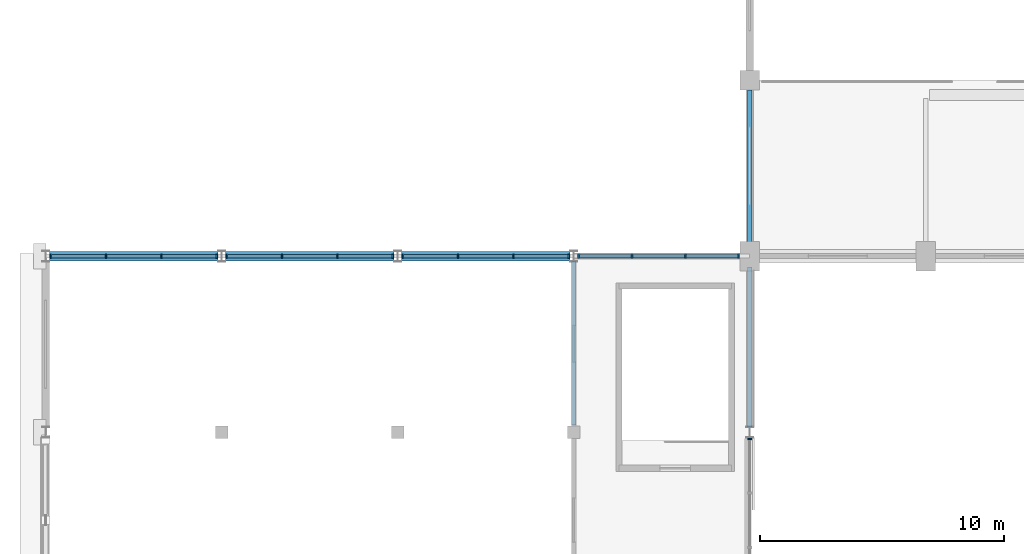
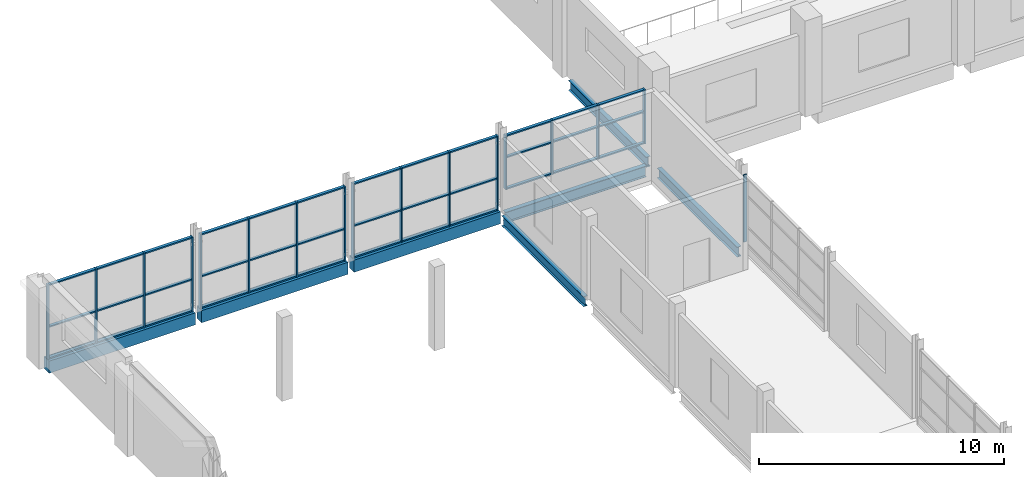
# One storey, part 25 of 71: 53 members, 7 beams, 5 elements without a shape of their own.
"""IFC4 building model written with IfcOpenShell, lengths in metres."""

from ifc_helpers import new_model, si_unit, direction, frame, origin, origin_2d, place, context, subcontext, project, spatial, rectangle, i_section, extrude, material, material_profile, profile_set, type_object, element, aggregate, save


model = new_model("IFC4")

# Units and contexts
model_context = context("Model", 3, precision=1e-05, world=origin(), true_north=direction((0.0, 1.0)))
body_context = subcontext(model_context, "Body", "Model", "MODEL_VIEW")
ifc_project = project(units=[si_unit("LENGTHUNIT", "METRE"), si_unit("AREAUNIT", "SQUARE_METRE"), si_unit("VOLUMEUNIT", "CUBIC_METRE"), si_unit("PLANEANGLEUNIT", "RADIAN"), si_unit("MASSUNIT", "GRAM", prefix="KILO")], contexts=[model_context])

# Site, building, storey
site_placement = place(None, origin())
site = spatial("IfcSite", under=ifc_project, at=site_placement, CompositionType="ELEMENT")
building_placement = place(site_placement, origin())
building = spatial("IfcBuilding", under=site, at=building_placement, Name="Sardonyx Promenade Sports Hall", CompositionType="ELEMENT")
storey_placement = place(building_placement, frame((0.0, 0.0, 16.0)))
storey = spatial("IfcBuildingStorey", under=building, at=storey_placement, Name="L03", CompositionType="ELEMENT", Elevation=16.0)

# Beams
ifc_material_1 = material(Name="Steel S355JR", Category="steel")
ifc_material_profile_1 = material_profile(ifc_material_1, i_section(OverallWidth=0.199951171875, OverallDepth=0.5, WebThickness=0.01025390625, FlangeThickness=0.01611328125, at=origin_2d()))
ifc_profile_set_1 = profile_set([ifc_material_profile_1], Name="Steel S355JR")
beam_type_1 = type_object("IfcBeamType", Name="Bm_Primary_IPE500", PredefinedType="BEAM", material=ifc_profile_set_1)
beam_1_placement = place(storey_placement, frame((21.60009765625, 65.10009765625, -0.449951171875), z_axis=(0.0, 1.0, 0.0), x_axis=(-1.0, 0.0, 0.0)))
element("IfcBeam", 1, at=beam_1_placement, inside=storey, type_object=beam_type_1, Name="Beam SB06 L03 #818", PredefinedType="BEAM", context=body_context, shape_type="SweptSolid", body=[
    extrude(i_section(OverallWidth=0.199951171875, OverallDepth=0.5, WebThickness=0.01025390625, FlangeThickness=0.01611328125, at=origin_2d()), origin(), (0.0, 0.0, 1.0), 6.679931640625),
])
beam_2_placement = place(storey_placement, frame((28.800048828125, 65.02001953125, -0.449951171875), z_axis=(0.0, 1.0, 0.0), x_axis=(-1.0, 0.0, 0.0)))
element("IfcBeam", 2, at=beam_2_placement, inside=storey, type_object=beam_type_1, Name="Beam SB06 L03 #828", PredefinedType="BEAM", context=body_context, shape_type="SweptSolid", body=[
    extrude(i_section(OverallWidth=0.199951171875, OverallDepth=0.5, WebThickness=0.01025390625, FlangeThickness=0.01611328125, at=origin_2d()), origin(), (0.0, 0.0, 1.0), 6.530029296875),
])
beam_3_placement = place(storey_placement, frame((28.800048828125, 72.449951171875, -0.469970703125), z_axis=(0.0, 1.0, 0.0), x_axis=(-1.0, 0.0, 0.0)))
element("IfcBeam", 3, at=beam_3_placement, inside=storey, type_object=beam_type_1, Name="Beam SB06 L03 #829", PredefinedType="BEAM", context=body_context, shape_type="SweptSolid", body=[
    extrude(i_section(OverallWidth=0.199951171875, OverallDepth=0.5, WebThickness=0.01025390625, FlangeThickness=0.01611328125, at=origin_2d()), origin(), (0.0, 0.0, 1.0), 6.35009765625),
])
ifc_material_2 = material(Name="Steel S355JR", Category="steel")
ifc_material_profile_2 = material_profile(ifc_material_2, i_section(OverallWidth=0.2099609375, OverallDepth=0.550048828125, WebThickness=0.010986328125, FlangeThickness=0.01708984375, at=origin_2d()))
ifc_profile_set_2 = profile_set([ifc_material_profile_2], Name="Steel S355JR")
beam_type_2 = type_object("IfcBeamType", Name="Bm_Primary_IPE550", PredefinedType="BEAM", material=ifc_profile_set_2)
beam_4_placement = place(storey_placement, frame((21.75, 72.0, -0.47509765625), z_axis=(1.0, 0.0, 0.0), x_axis=(0.0, 1.0, 0.0)))
element("IfcBeam", 4, at=beam_4_placement, inside=storey, type_object=beam_type_2, Name="Beam SB03 L03 #790", PredefinedType="BEAM", context=body_context, shape_type="SweptSolid", body=[
    extrude(i_section(OverallWidth=0.2099609375, OverallDepth=0.550048828125, WebThickness=0.010986328125, FlangeThickness=0.01708984375, at=origin_2d()), origin(), (0.0, 0.0, 1.0), 6.64990234375),
])
ifc_material_3 = material(Name="Concrete C40/50", Category="concrete")
ifc_material_profile_3 = material_profile(ifc_material_3, rectangle(XDim=0.39990234375, YDim=0.60009765625, at=origin_2d()))
ifc_profile_set_3 = profile_set([ifc_material_profile_3], Name="Concrete C40/50")
beam_type_3 = type_object("IfcBeamType", Name="Bm_Spandrel_RC600", PredefinedType="SPANDREL", material=ifc_profile_set_3)
beam_5_placement = place(storey_placement, frame((0.14990234375, 72.0, -0.300048828125), z_axis=(1.0, 0.0, 0.0), x_axis=(0.0, 1.0, 0.0)))
element("IfcBeam", 5, at=beam_5_placement, inside=storey, type_object=beam_type_3, Name="Beam SPB1 L03 #787", PredefinedType="SPANDREL", context=body_context, shape_type="SweptSolid", body=[
    extrude(rectangle(XDim=0.39990234375, YDim=0.60009765625, at=origin_2d()), origin(), (0.0, 0.0, 1.0), 6.900146484375),
])
for number, where, z_axis, x_axis, name in (
    (6, (7.35009765625, 72.0, -0.300048828125), (1.0, 0.0, 0.0), (0.0, 1.0, 0.0), "Beam SPB1 L03 #788"),
    (7, (14.550048828125, 72.0, -0.300048828125), (1.0, 0.0, 0.0), (0.0, 1.0, 0.0), "Beam SPB1 L03 #789"),
):
    element("IfcBeam", number, at=place(storey_placement, frame(where, z_axis=z_axis, x_axis=x_axis)), inside=storey, type_object=beam_type_3, Name=name, PredefinedType="SPANDREL", context=body_context, shape_type="SweptSolid", body=[
        extrude(rectangle(XDim=0.39990234375, YDim=0.60009765625, at=origin_2d()), origin(), (0.0, 0.0, 1.0), 6.89990234375),
    ])

# Curtain wall, member
ifc_material_4 = material(Name="Aluminium 6063-T6", Category="aluminium")
curtain_wall_type_1 = type_object("IfcCurtainWallType", Name="CW_South_L03_640", PredefinedType="USERDEFINED", material=ifc_material_4)
curtain_wall_1_placement = place(storey_placement, origin())
curtain_wall_1 = element("IfcCurtainWall", 8, at=curtain_wall_1_placement, inside=storey, type_object=curtain_wall_type_1, Name="Curtain wall CW14 cw:L03:155", ObjectType="CURTAIN WALL", PredefinedType="USERDEFINED")
ifc_material_5 = material(Name="Aluminium 6063-T6", Category="aluminium")
ifc_material_profile_4 = material_profile(ifc_material_5, rectangle(XDim=0.06005859375, YDim=0.14990234375, at=origin_2d()))
ifc_profile_set_4 = profile_set([ifc_material_profile_4], Name="Aluminium 6063-T6")
member_type_1 = type_object("IfcMemberType", Name="CW_Mull_150", PredefinedType="MULLION", material=ifc_profile_set_4)
member_1_placement = place(storey_placement, frame((28.800048828125, 64.530029296875, 0.35009765625), z_axis=(0.0, 0.0, 1.0), x_axis=(0.0, -1.0, 0.0)))
member_1 = element("IfcMember", 9, at=member_1_placement, type_object=member_type_1, Name="Mullion CM01 cw:L03:155 #1", PredefinedType="MULLION", context=body_context, shape_type="SweptSolid", body=[
    extrude(rectangle(XDim=0.06005859375, YDim=0.14990234375, at=origin_2d()), origin(), (0.0, 0.0, 1.0), 3.35498046875),
])
aggregate(curtain_wall_1, [member_1])

# Curtain wall, members
ifc_material_6 = material(Name="Aluminium 6063-T6", Category="aluminium")
curtain_wall_type_2 = type_object("IfcCurtainWallType", Name="CW_Climb_Clerestory", PredefinedType="USERDEFINED", material=ifc_material_6)
curtain_wall_2_placement = place(storey_placement, origin())
curtain_wall_2 = element("IfcCurtainWall", 10, at=curtain_wall_2_placement, inside=storey, type_object=curtain_wall_type_2, Name="Curtain wall CW12 cw:L03:080", ObjectType="CURTAIN WALL", PredefinedType="USERDEFINED")
ifc_material_7 = material(Name="Aluminium 6063-T6", Category="aluminium")
ifc_material_profile_5 = material_profile(ifc_material_7, rectangle(XDim=0.06494140625, YDim=0.175048828125, at=origin_2d()))
ifc_profile_set_5 = profile_set([ifc_material_profile_5], Name="Aluminium 6063-T6")
member_type_2 = type_object("IfcMemberType", Name="CW_Mull_175", PredefinedType="MULLION", material=ifc_profile_set_5)
member_2_placement = place(storey_placement, frame((0.202392578125, 72.0, 0.0), z_axis=(0.0, 0.0, 1.0), x_axis=(1.0, 0.0, 0.0)))
member_2 = element("IfcMember", 11, at=member_2_placement, type_object=member_type_2, Name="Mullion CM02 cw:L03:080 #1", PredefinedType="MULLION", context=body_context, shape_type="SweptSolid", body=[
    extrude(rectangle(XDim=0.06494140625, YDim=0.175048828125, at=origin_2d()), origin(), (0.0, 0.0, 1.0), 3.719970703125),
])
member_3_placement = place(storey_placement, frame((2.467529296875, 72.0, 0.0), z_axis=(0.0, 0.0, 1.0), x_axis=(1.0, 0.0, 0.0)))
member_3 = element("IfcMember", 12, at=member_3_placement, type_object=member_type_2, Name="Mullion CM02 cw:L03:080 #2", PredefinedType="MULLION", context=body_context, shape_type="SweptSolid", body=[
    extrude(rectangle(XDim=0.06494140625, YDim=0.175048828125, at=origin_2d()), origin(), (0.0, 0.0, 1.0), 3.719970703125),
])
member_4_placement = place(storey_placement, frame((4.732421875, 72.0, 0.0), z_axis=(0.0, 0.0, 1.0), x_axis=(1.0, 0.0, 0.0)))
member_4 = element("IfcMember", 13, at=member_4_placement, type_object=member_type_2, Name="Mullion CM02 cw:L03:080 #3", PredefinedType="MULLION", context=body_context, shape_type="SweptSolid", body=[
    extrude(rectangle(XDim=0.06494140625, YDim=0.175048828125, at=origin_2d()), origin(), (0.0, 0.0, 1.0), 3.719970703125),
])
member_5_placement = place(storey_placement, frame((6.99755859375, 72.0, 0.0), z_axis=(0.0, 0.0, 1.0), x_axis=(1.0, 0.0, 0.0)))
member_5 = element("IfcMember", 14, at=member_5_placement, type_object=member_type_2, Name="Mullion CM02 cw:L03:080 #4", PredefinedType="MULLION", context=body_context, shape_type="SweptSolid", body=[
    extrude(rectangle(XDim=0.06494140625, YDim=0.175048828125, at=origin_2d()), origin(), (0.0, 0.0, 1.0), 3.719970703125),
])

curtain_wall_3_placement = place(storey_placement, origin())
curtain_wall_3 = element("IfcCurtainWall", 15, at=curtain_wall_3_placement, inside=storey, type_object=curtain_wall_type_2, Name="Curtain wall CW12 cw:L03:081", ObjectType="CURTAIN WALL", PredefinedType="USERDEFINED")
member_6_placement = place(storey_placement, frame((7.402587890625, 72.0, 0.0), z_axis=(0.0, 0.0, 1.0), x_axis=(1.0, 0.0, 0.0)))
member_6 = element("IfcMember", 16, at=member_6_placement, type_object=member_type_2, Name="Mullion CM02 cw:L03:081 #1", PredefinedType="MULLION", context=body_context, shape_type="SweptSolid", body=[
    extrude(rectangle(XDim=0.06494140625, YDim=0.175048828125, at=origin_2d()), origin(), (0.0, 0.0, 1.0), 3.719970703125),
])
member_7_placement = place(storey_placement, frame((9.66748046875, 72.0, 0.0), z_axis=(0.0, 0.0, 1.0), x_axis=(1.0, 0.0, 0.0)))
member_7 = element("IfcMember", 17, at=member_7_placement, type_object=member_type_2, Name="Mullion CM02 cw:L03:081 #2", PredefinedType="MULLION", context=body_context, shape_type="SweptSolid", body=[
    extrude(rectangle(XDim=0.06494140625, YDim=0.175048828125, at=origin_2d()), origin(), (0.0, 0.0, 1.0), 3.719970703125),
])
member_8_placement = place(storey_placement, frame((11.9326171875, 72.0, 0.0), z_axis=(0.0, 0.0, 1.0), x_axis=(1.0, 0.0, 0.0)))
member_8 = element("IfcMember", 18, at=member_8_placement, type_object=member_type_2, Name="Mullion CM02 cw:L03:081 #3", PredefinedType="MULLION", context=body_context, shape_type="SweptSolid", body=[
    extrude(rectangle(XDim=0.06494140625, YDim=0.175048828125, at=origin_2d()), origin(), (0.0, 0.0, 1.0), 3.719970703125),
])
member_9_placement = place(storey_placement, frame((14.197509765625, 72.0, 0.0), z_axis=(0.0, 0.0, 1.0), x_axis=(1.0, 0.0, 0.0)))
member_9 = element("IfcMember", 19, at=member_9_placement, type_object=member_type_2, Name="Mullion CM02 cw:L03:081 #4", PredefinedType="MULLION", context=body_context, shape_type="SweptSolid", body=[
    extrude(rectangle(XDim=0.06494140625, YDim=0.175048828125, at=origin_2d()), origin(), (0.0, 0.0, 1.0), 3.719970703125),
])

curtain_wall_4_placement = place(storey_placement, origin())
curtain_wall_4 = element("IfcCurtainWall", 20, at=curtain_wall_4_placement, inside=storey, type_object=curtain_wall_type_2, Name="Curtain wall CW12 cw:L03:082", ObjectType="CURTAIN WALL", PredefinedType="USERDEFINED")
member_10_placement = place(storey_placement, frame((14.6025390625, 72.0, 0.0), z_axis=(0.0, 0.0, 1.0), x_axis=(1.0, 0.0, 0.0)))
member_10 = element("IfcMember", 21, at=member_10_placement, type_object=member_type_2, Name="Mullion CM02 cw:L03:082 #1", PredefinedType="MULLION", context=body_context, shape_type="SweptSolid", body=[
    extrude(rectangle(XDim=0.06494140625, YDim=0.175048828125, at=origin_2d()), origin(), (0.0, 0.0, 1.0), 3.719970703125),
])
member_11_placement = place(storey_placement, frame((16.867431640625, 72.0, 0.0), z_axis=(0.0, 0.0, 1.0), x_axis=(1.0, 0.0, 0.0)))
member_11 = element("IfcMember", 22, at=member_11_placement, type_object=member_type_2, Name="Mullion CM02 cw:L03:082 #2", PredefinedType="MULLION", context=body_context, shape_type="SweptSolid", body=[
    extrude(rectangle(XDim=0.06494140625, YDim=0.175048828125, at=origin_2d()), origin(), (0.0, 0.0, 1.0), 3.719970703125),
])
member_12_placement = place(storey_placement, frame((19.132568359375, 72.0, 0.0), z_axis=(0.0, 0.0, 1.0), x_axis=(1.0, 0.0, 0.0)))
member_12 = element("IfcMember", 23, at=member_12_placement, type_object=member_type_2, Name="Mullion CM02 cw:L03:082 #3", PredefinedType="MULLION", context=body_context, shape_type="SweptSolid", body=[
    extrude(rectangle(XDim=0.06494140625, YDim=0.175048828125, at=origin_2d()), origin(), (0.0, 0.0, 1.0), 3.719970703125),
])
member_13_placement = place(storey_placement, frame((21.3974609375, 72.0, 0.0), z_axis=(0.0, 0.0, 1.0), x_axis=(1.0, 0.0, 0.0)))
member_13 = element("IfcMember", 24, at=member_13_placement, type_object=member_type_2, Name="Mullion CM02 cw:L03:082 #4", PredefinedType="MULLION", context=body_context, shape_type="SweptSolid", body=[
    extrude(rectangle(XDim=0.06494140625, YDim=0.175048828125, at=origin_2d()), origin(), (0.0, 0.0, 1.0), 3.719970703125),
])

curtain_wall_5_placement = place(storey_placement, origin())
curtain_wall_5 = element("IfcCurtainWall", 25, at=curtain_wall_5_placement, inside=storey, type_object=curtain_wall_type_2, Name="Curtain wall CW12 cw:L03:083", ObjectType="CURTAIN WALL", PredefinedType="USERDEFINED")
member_14_placement = place(storey_placement, frame((21.802490234375, 72.0, 0.89990234375), z_axis=(0.0, 0.0, 1.0), x_axis=(1.0, 0.0, 0.0)))
member_14 = element("IfcMember", 26, at=member_14_placement, type_object=member_type_2, Name="Mullion CM02 cw:L03:083 #1", PredefinedType="MULLION", context=body_context, shape_type="SweptSolid", body=[
    extrude(rectangle(XDim=0.06494140625, YDim=0.175048828125, at=origin_2d()), origin(), (0.0, 0.0, 1.0), 2.705078125),
])
member_15_placement = place(storey_placement, frame((23.984130859375, 72.0, 0.89990234375), z_axis=(0.0, 0.0, 1.0), x_axis=(1.0, 0.0, 0.0)))
member_15 = element("IfcMember", 27, at=member_15_placement, type_object=member_type_2, Name="Mullion CM02 cw:L03:083 #2", PredefinedType="MULLION", context=body_context, shape_type="SweptSolid", body=[
    extrude(rectangle(XDim=0.06494140625, YDim=0.175048828125, at=origin_2d()), origin(), (0.0, 0.0, 1.0), 2.705078125),
])
member_16_placement = place(storey_placement, frame((26.165771484375, 72.0, 0.89990234375), z_axis=(0.0, 0.0, 1.0), x_axis=(1.0, 0.0, 0.0)))
member_16 = element("IfcMember", 28, at=member_16_placement, type_object=member_type_2, Name="Mullion CM02 cw:L03:083 #3", PredefinedType="MULLION", context=body_context, shape_type="SweptSolid", body=[
    extrude(rectangle(XDim=0.06494140625, YDim=0.175048828125, at=origin_2d()), origin(), (0.0, 0.0, 1.0), 2.705078125),
])
member_17_placement = place(storey_placement, frame((28.347412109375, 72.0, 0.89990234375), z_axis=(0.0, 0.0, 1.0), x_axis=(1.0, 0.0, 0.0)))
member_17 = element("IfcMember", 29, at=member_17_placement, type_object=member_type_2, Name="Mullion CM02 cw:L03:083 #4", PredefinedType="MULLION", context=body_context, shape_type="SweptSolid", body=[
    extrude(rectangle(XDim=0.06494140625, YDim=0.175048828125, at=origin_2d()), origin(), (0.0, 0.0, 1.0), 2.705078125),
])

# Member
ifc_material_8 = material(Name="Aluminium 6063-T6", Category="aluminium")
ifc_material_profile_6 = material_profile(ifc_material_8, rectangle(XDim=0.06494140625, YDim=0.139892578125, at=origin_2d()))
ifc_profile_set_6 = profile_set([ifc_material_profile_6], Name="Aluminium 6063-T6")
member_type_3 = type_object("IfcMemberType", Name="CW_Tran_140", PredefinedType="USERDEFINED", material=ifc_profile_set_6)
member_18_placement = place(storey_placement, frame((0.235107421875, 72.0, 0.032470703125), z_axis=(1.0, 0.0, 0.0), x_axis=(0.0, 0.0, 1.0)))
member_18 = element("IfcMember", 30, at=member_18_placement, type_object=member_type_3, Name="Transom CT02 cw:L03:080 #1", ObjectType="TRANSOM", PredefinedType="USERDEFINED", context=body_context, shape_type="SweptSolid", body=[
    extrude(rectangle(XDim=0.06494140625, YDim=0.139892578125, at=origin_2d()), origin(), (0.0, 0.0, 1.0), 2.199951171875),
])

member_19_placement = place(storey_placement, frame((0.235107421875, 72.0, 1.60009765625), z_axis=(1.0, 0.0, 0.0), x_axis=(0.0, 0.0, 1.0)))
member_19 = element("IfcMember", 31, at=member_19_placement, type_object=member_type_3, Name="Transom CT02 cw:L03:080 #2", ObjectType="TRANSOM", PredefinedType="USERDEFINED", context=body_context, shape_type="SweptSolid", body=[
    extrude(rectangle(XDim=0.06494140625, YDim=0.139892578125, at=origin_2d()), origin(), (0.0, 0.0, 1.0), 2.199951171875),
])

member_20_placement = place(storey_placement, frame((0.235107421875, 72.0, 3.6875), z_axis=(1.0, 0.0, 0.0), x_axis=(0.0, 0.0, 1.0)))
member_20 = element("IfcMember", 32, at=member_20_placement, type_object=member_type_3, Name="Transom CT02 cw:L03:080 #3", ObjectType="TRANSOM", PredefinedType="USERDEFINED", context=body_context, shape_type="SweptSolid", body=[
    extrude(rectangle(XDim=0.06494140625, YDim=0.139892578125, at=origin_2d()), origin(), (0.0, 0.0, 1.0), 2.199951171875),
])

member_21_placement = place(storey_placement, frame((2.5, 72.0, 0.032470703125), z_axis=(1.0, 0.0, 0.0), x_axis=(0.0, 0.0, 1.0)))
member_21 = element("IfcMember", 33, at=member_21_placement, type_object=member_type_3, Name="Transom CT02 cw:L03:080 #4", ObjectType="TRANSOM", PredefinedType="USERDEFINED", context=body_context, shape_type="SweptSolid", body=[
    extrude(rectangle(XDim=0.06494140625, YDim=0.139892578125, at=origin_2d()), origin(), (0.0, 0.0, 1.0), 2.199951171875),
])

member_22_placement = place(storey_placement, frame((2.5, 72.0, 1.60009765625), z_axis=(1.0, 0.0, 0.0), x_axis=(0.0, 0.0, 1.0)))
member_22 = element("IfcMember", 34, at=member_22_placement, type_object=member_type_3, Name="Transom CT02 cw:L03:080 #5", ObjectType="TRANSOM", PredefinedType="USERDEFINED", context=body_context, shape_type="SweptSolid", body=[
    extrude(rectangle(XDim=0.06494140625, YDim=0.139892578125, at=origin_2d()), origin(), (0.0, 0.0, 1.0), 2.199951171875),
])

member_23_placement = place(storey_placement, frame((2.5, 72.0, 3.6875), z_axis=(1.0, 0.0, 0.0), x_axis=(0.0, 0.0, 1.0)))
member_23 = element("IfcMember", 35, at=member_23_placement, type_object=member_type_3, Name="Transom CT02 cw:L03:080 #6", ObjectType="TRANSOM", PredefinedType="USERDEFINED", context=body_context, shape_type="SweptSolid", body=[
    extrude(rectangle(XDim=0.06494140625, YDim=0.139892578125, at=origin_2d()), origin(), (0.0, 0.0, 1.0), 2.199951171875),
])

member_24_placement = place(storey_placement, frame((4.764892578125, 72.0, 0.032470703125), z_axis=(1.0, 0.0, 0.0), x_axis=(0.0, 0.0, 1.0)))
member_24 = element("IfcMember", 36, at=member_24_placement, type_object=member_type_3, Name="Transom CT02 cw:L03:080 #7", ObjectType="TRANSOM", PredefinedType="USERDEFINED", context=body_context, shape_type="SweptSolid", body=[
    extrude(rectangle(XDim=0.06494140625, YDim=0.139892578125, at=origin_2d()), origin(), (0.0, 0.0, 1.0), 2.2001953125),
])

member_25_placement = place(storey_placement, frame((4.764892578125, 72.0, 1.60009765625), z_axis=(1.0, 0.0, 0.0), x_axis=(0.0, 0.0, 1.0)))
member_25 = element("IfcMember", 37, at=member_25_placement, type_object=member_type_3, Name="Transom CT02 cw:L03:080 #8", ObjectType="TRANSOM", PredefinedType="USERDEFINED", context=body_context, shape_type="SweptSolid", body=[
    extrude(rectangle(XDim=0.06494140625, YDim=0.139892578125, at=origin_2d()), origin(), (0.0, 0.0, 1.0), 2.2001953125),
])

member_26_placement = place(storey_placement, frame((4.764892578125, 72.0, 3.6875), z_axis=(1.0, 0.0, 0.0), x_axis=(0.0, 0.0, 1.0)))
member_26 = element("IfcMember", 38, at=member_26_placement, type_object=member_type_3, Name="Transom CT02 cw:L03:080 #9", ObjectType="TRANSOM", PredefinedType="USERDEFINED", context=body_context, shape_type="SweptSolid", body=[
    extrude(rectangle(XDim=0.06494140625, YDim=0.139892578125, at=origin_2d()), origin(), (0.0, 0.0, 1.0), 2.2001953125),
])

aggregate(curtain_wall_2, [member_2, member_3, member_4, member_5, member_18, member_19, member_20, member_21, member_22, member_23, member_24, member_25, member_26])

member_27_placement = place(storey_placement, frame((7.43505859375, 72.0, 0.032470703125), z_axis=(1.0, 0.0, 0.0), x_axis=(0.0, 0.0, 1.0)))
member_27 = element("IfcMember", 39, at=member_27_placement, type_object=member_type_3, Name="Transom CT02 cw:L03:081 #1", ObjectType="TRANSOM", PredefinedType="USERDEFINED", context=body_context, shape_type="SweptSolid", body=[
    extrude(rectangle(XDim=0.06494140625, YDim=0.139892578125, at=origin_2d()), origin(), (0.0, 0.0, 1.0), 2.199951171875),
])

member_28_placement = place(storey_placement, frame((7.43505859375, 72.0, 1.60009765625), z_axis=(1.0, 0.0, 0.0), x_axis=(0.0, 0.0, 1.0)))
member_28 = element("IfcMember", 40, at=member_28_placement, type_object=member_type_3, Name="Transom CT02 cw:L03:081 #2", ObjectType="TRANSOM", PredefinedType="USERDEFINED", context=body_context, shape_type="SweptSolid", body=[
    extrude(rectangle(XDim=0.06494140625, YDim=0.139892578125, at=origin_2d()), origin(), (0.0, 0.0, 1.0), 2.199951171875),
])

member_29_placement = place(storey_placement, frame((7.43505859375, 72.0, 3.6875), z_axis=(1.0, 0.0, 0.0), x_axis=(0.0, 0.0, 1.0)))
member_29 = element("IfcMember", 41, at=member_29_placement, type_object=member_type_3, Name="Transom CT02 cw:L03:081 #3", ObjectType="TRANSOM", PredefinedType="USERDEFINED", context=body_context, shape_type="SweptSolid", body=[
    extrude(rectangle(XDim=0.06494140625, YDim=0.139892578125, at=origin_2d()), origin(), (0.0, 0.0, 1.0), 2.199951171875),
])

member_30_placement = place(storey_placement, frame((9.699951171875, 72.0, 0.032470703125), z_axis=(1.0, 0.0, 0.0), x_axis=(0.0, 0.0, 1.0)))
member_30 = element("IfcMember", 42, at=member_30_placement, type_object=member_type_3, Name="Transom CT02 cw:L03:081 #4", ObjectType="TRANSOM", PredefinedType="USERDEFINED", context=body_context, shape_type="SweptSolid", body=[
    extrude(rectangle(XDim=0.06494140625, YDim=0.139892578125, at=origin_2d()), origin(), (0.0, 0.0, 1.0), 2.199951171875),
])

member_31_placement = place(storey_placement, frame((9.699951171875, 72.0, 1.60009765625), z_axis=(1.0, 0.0, 0.0), x_axis=(0.0, 0.0, 1.0)))
member_31 = element("IfcMember", 43, at=member_31_placement, type_object=member_type_3, Name="Transom CT02 cw:L03:081 #5", ObjectType="TRANSOM", PredefinedType="USERDEFINED", context=body_context, shape_type="SweptSolid", body=[
    extrude(rectangle(XDim=0.06494140625, YDim=0.139892578125, at=origin_2d()), origin(), (0.0, 0.0, 1.0), 2.199951171875),
])

member_32_placement = place(storey_placement, frame((9.699951171875, 72.0, 3.6875), z_axis=(1.0, 0.0, 0.0), x_axis=(0.0, 0.0, 1.0)))
member_32 = element("IfcMember", 44, at=member_32_placement, type_object=member_type_3, Name="Transom CT02 cw:L03:081 #6", ObjectType="TRANSOM", PredefinedType="USERDEFINED", context=body_context, shape_type="SweptSolid", body=[
    extrude(rectangle(XDim=0.06494140625, YDim=0.139892578125, at=origin_2d()), origin(), (0.0, 0.0, 1.0), 2.199951171875),
])

member_33_placement = place(storey_placement, frame((11.965087890625, 72.0, 0.032470703125), z_axis=(1.0, 0.0, 0.0), x_axis=(0.0, 0.0, 1.0)))
member_33 = element("IfcMember", 45, at=member_33_placement, type_object=member_type_3, Name="Transom CT02 cw:L03:081 #7", ObjectType="TRANSOM", PredefinedType="USERDEFINED", context=body_context, shape_type="SweptSolid", body=[
    extrude(rectangle(XDim=0.06494140625, YDim=0.139892578125, at=origin_2d()), origin(), (0.0, 0.0, 1.0), 2.199951171875),
])

member_34_placement = place(storey_placement, frame((11.965087890625, 72.0, 1.60009765625), z_axis=(1.0, 0.0, 0.0), x_axis=(0.0, 0.0, 1.0)))
member_34 = element("IfcMember", 46, at=member_34_placement, type_object=member_type_3, Name="Transom CT02 cw:L03:081 #8", ObjectType="TRANSOM", PredefinedType="USERDEFINED", context=body_context, shape_type="SweptSolid", body=[
    extrude(rectangle(XDim=0.06494140625, YDim=0.139892578125, at=origin_2d()), origin(), (0.0, 0.0, 1.0), 2.199951171875),
])

member_35_placement = place(storey_placement, frame((11.965087890625, 72.0, 3.6875), z_axis=(1.0, 0.0, 0.0), x_axis=(0.0, 0.0, 1.0)))
member_35 = element("IfcMember", 47, at=member_35_placement, type_object=member_type_3, Name="Transom CT02 cw:L03:081 #9", ObjectType="TRANSOM", PredefinedType="USERDEFINED", context=body_context, shape_type="SweptSolid", body=[
    extrude(rectangle(XDim=0.06494140625, YDim=0.139892578125, at=origin_2d()), origin(), (0.0, 0.0, 1.0), 2.199951171875),
])

aggregate(curtain_wall_3, [member_6, member_7, member_8, member_9, member_27, member_28, member_29, member_30, member_31, member_32, member_33, member_34, member_35])

member_36_placement = place(storey_placement, frame((14.635009765625, 72.0, 0.032470703125), z_axis=(1.0, 0.0, 0.0), x_axis=(0.0, 0.0, 1.0)))
member_36 = element("IfcMember", 48, at=member_36_placement, type_object=member_type_3, Name="Transom CT02 cw:L03:082 #1", ObjectType="TRANSOM", PredefinedType="USERDEFINED", context=body_context, shape_type="SweptSolid", body=[
    extrude(rectangle(XDim=0.06494140625, YDim=0.139892578125, at=origin_2d()), origin(), (0.0, 0.0, 1.0), 2.199951171875),
])

member_37_placement = place(storey_placement, frame((14.635009765625, 72.0, 1.60009765625), z_axis=(1.0, 0.0, 0.0), x_axis=(0.0, 0.0, 1.0)))
member_37 = element("IfcMember", 49, at=member_37_placement, type_object=member_type_3, Name="Transom CT02 cw:L03:082 #2", ObjectType="TRANSOM", PredefinedType="USERDEFINED", context=body_context, shape_type="SweptSolid", body=[
    extrude(rectangle(XDim=0.06494140625, YDim=0.139892578125, at=origin_2d()), origin(), (0.0, 0.0, 1.0), 2.199951171875),
])

member_38_placement = place(storey_placement, frame((14.635009765625, 72.0, 3.6875), z_axis=(1.0, 0.0, 0.0), x_axis=(0.0, 0.0, 1.0)))
member_38 = element("IfcMember", 50, at=member_38_placement, type_object=member_type_3, Name="Transom CT02 cw:L03:082 #3", ObjectType="TRANSOM", PredefinedType="USERDEFINED", context=body_context, shape_type="SweptSolid", body=[
    extrude(rectangle(XDim=0.06494140625, YDim=0.139892578125, at=origin_2d()), origin(), (0.0, 0.0, 1.0), 2.199951171875),
])

member_39_placement = place(storey_placement, frame((16.89990234375, 72.0, 0.032470703125), z_axis=(1.0, 0.0, 0.0), x_axis=(0.0, 0.0, 1.0)))
member_39 = element("IfcMember", 51, at=member_39_placement, type_object=member_type_3, Name="Transom CT02 cw:L03:082 #4", ObjectType="TRANSOM", PredefinedType="USERDEFINED", context=body_context, shape_type="SweptSolid", body=[
    extrude(rectangle(XDim=0.06494140625, YDim=0.139892578125, at=origin_2d()), origin(), (0.0, 0.0, 1.0), 2.2001953125),
])

member_40_placement = place(storey_placement, frame((16.89990234375, 72.0, 1.60009765625), z_axis=(1.0, 0.0, 0.0), x_axis=(0.0, 0.0, 1.0)))
member_40 = element("IfcMember", 52, at=member_40_placement, type_object=member_type_3, Name="Transom CT02 cw:L03:082 #5", ObjectType="TRANSOM", PredefinedType="USERDEFINED", context=body_context, shape_type="SweptSolid", body=[
    extrude(rectangle(XDim=0.06494140625, YDim=0.139892578125, at=origin_2d()), origin(), (0.0, 0.0, 1.0), 2.2001953125),
])

member_41_placement = place(storey_placement, frame((16.89990234375, 72.0, 3.6875), z_axis=(1.0, 0.0, 0.0), x_axis=(0.0, 0.0, 1.0)))
member_41 = element("IfcMember", 53, at=member_41_placement, type_object=member_type_3, Name="Transom CT02 cw:L03:082 #6", ObjectType="TRANSOM", PredefinedType="USERDEFINED", context=body_context, shape_type="SweptSolid", body=[
    extrude(rectangle(XDim=0.06494140625, YDim=0.139892578125, at=origin_2d()), origin(), (0.0, 0.0, 1.0), 2.2001953125),
])

member_42_placement = place(storey_placement, frame((19.1650390625, 72.0, 0.032470703125), z_axis=(1.0, 0.0, 0.0), x_axis=(0.0, 0.0, 1.0)))
member_42 = element("IfcMember", 54, at=member_42_placement, type_object=member_type_3, Name="Transom CT02 cw:L03:082 #7", ObjectType="TRANSOM", PredefinedType="USERDEFINED", context=body_context, shape_type="SweptSolid", body=[
    extrude(rectangle(XDim=0.06494140625, YDim=0.139892578125, at=origin_2d()), origin(), (0.0, 0.0, 1.0), 2.199951171875),
])

member_43_placement = place(storey_placement, frame((19.1650390625, 72.0, 1.60009765625), z_axis=(1.0, 0.0, 0.0), x_axis=(0.0, 0.0, 1.0)))
member_43 = element("IfcMember", 55, at=member_43_placement, type_object=member_type_3, Name="Transom CT02 cw:L03:082 #8", ObjectType="TRANSOM", PredefinedType="USERDEFINED", context=body_context, shape_type="SweptSolid", body=[
    extrude(rectangle(XDim=0.06494140625, YDim=0.139892578125, at=origin_2d()), origin(), (0.0, 0.0, 1.0), 2.199951171875),
])

member_44_placement = place(storey_placement, frame((19.1650390625, 72.0, 3.6875), z_axis=(1.0, 0.0, 0.0), x_axis=(0.0, 0.0, 1.0)))
member_44 = element("IfcMember", 56, at=member_44_placement, type_object=member_type_3, Name="Transom CT02 cw:L03:082 #9", ObjectType="TRANSOM", PredefinedType="USERDEFINED", context=body_context, shape_type="SweptSolid", body=[
    extrude(rectangle(XDim=0.06494140625, YDim=0.139892578125, at=origin_2d()), origin(), (0.0, 0.0, 1.0), 2.199951171875),
])

aggregate(curtain_wall_4, [member_10, member_11, member_12, member_13, member_36, member_37, member_38, member_39, member_40, member_41, member_42, member_43, member_44])

member_45_placement = place(storey_placement, frame((21.8349609375, 72.0, 0.9326171875), z_axis=(1.0, 0.0, 0.0), x_axis=(0.0, 0.0, 1.0)))
member_45 = element("IfcMember", 57, at=member_45_placement, type_object=member_type_3, Name="Transom CT02 cw:L03:083 #1", ObjectType="TRANSOM", PredefinedType="USERDEFINED", context=body_context, shape_type="SweptSolid", body=[
    extrude(rectangle(XDim=0.06494140625, YDim=0.139892578125, at=origin_2d()), origin(), (0.0, 0.0, 1.0), 2.11669921875),
])

member_46_placement = place(storey_placement, frame((21.8349609375, 72.0, 2.5), z_axis=(1.0, 0.0, 0.0), x_axis=(0.0, 0.0, 1.0)))
member_46 = element("IfcMember", 58, at=member_46_placement, type_object=member_type_3, Name="Transom CT02 cw:L03:083 #2", ObjectType="TRANSOM", PredefinedType="USERDEFINED", context=body_context, shape_type="SweptSolid", body=[
    extrude(rectangle(XDim=0.06494140625, YDim=0.139892578125, at=origin_2d()), origin(), (0.0, 0.0, 1.0), 2.11669921875),
])

member_47_placement = place(storey_placement, frame((21.8349609375, 72.0, 3.572509765625), z_axis=(1.0, 0.0, 0.0), x_axis=(0.0, 0.0, 1.0)))
member_47 = element("IfcMember", 59, at=member_47_placement, type_object=member_type_3, Name="Transom CT02 cw:L03:083 #3", ObjectType="TRANSOM", PredefinedType="USERDEFINED", context=body_context, shape_type="SweptSolid", body=[
    extrude(rectangle(XDim=0.06494140625, YDim=0.139892578125, at=origin_2d()), origin(), (0.0, 0.0, 1.0), 2.11669921875),
])

member_48_placement = place(storey_placement, frame((24.0166015625, 72.0, 0.9326171875), z_axis=(1.0, 0.0, 0.0), x_axis=(0.0, 0.0, 1.0)))
member_48 = element("IfcMember", 60, at=member_48_placement, type_object=member_type_3, Name="Transom CT02 cw:L03:083 #4", ObjectType="TRANSOM", PredefinedType="USERDEFINED", context=body_context, shape_type="SweptSolid", body=[
    extrude(rectangle(XDim=0.06494140625, YDim=0.139892578125, at=origin_2d()), origin(), (0.0, 0.0, 1.0), 2.11669921875),
])

member_49_placement = place(storey_placement, frame((24.0166015625, 72.0, 2.5), z_axis=(1.0, 0.0, 0.0), x_axis=(0.0, 0.0, 1.0)))
member_49 = element("IfcMember", 61, at=member_49_placement, type_object=member_type_3, Name="Transom CT02 cw:L03:083 #5", ObjectType="TRANSOM", PredefinedType="USERDEFINED", context=body_context, shape_type="SweptSolid", body=[
    extrude(rectangle(XDim=0.06494140625, YDim=0.139892578125, at=origin_2d()), origin(), (0.0, 0.0, 1.0), 2.11669921875),
])

member_50_placement = place(storey_placement, frame((24.0166015625, 72.0, 3.572509765625), z_axis=(1.0, 0.0, 0.0), x_axis=(0.0, 0.0, 1.0)))
member_50 = element("IfcMember", 62, at=member_50_placement, type_object=member_type_3, Name="Transom CT02 cw:L03:083 #6", ObjectType="TRANSOM", PredefinedType="USERDEFINED", context=body_context, shape_type="SweptSolid", body=[
    extrude(rectangle(XDim=0.06494140625, YDim=0.139892578125, at=origin_2d()), origin(), (0.0, 0.0, 1.0), 2.11669921875),
])

member_51_placement = place(storey_placement, frame((26.1982421875, 72.0, 0.9326171875), z_axis=(1.0, 0.0, 0.0), x_axis=(0.0, 0.0, 1.0)))
member_51 = element("IfcMember", 63, at=member_51_placement, type_object=member_type_3, Name="Transom CT02 cw:L03:083 #7", ObjectType="TRANSOM", PredefinedType="USERDEFINED", context=body_context, shape_type="SweptSolid", body=[
    extrude(rectangle(XDim=0.06494140625, YDim=0.139892578125, at=origin_2d()), origin(), (0.0, 0.0, 1.0), 2.11669921875),
])

member_52_placement = place(storey_placement, frame((26.1982421875, 72.0, 2.5), z_axis=(1.0, 0.0, 0.0), x_axis=(0.0, 0.0, 1.0)))
member_52 = element("IfcMember", 64, at=member_52_placement, type_object=member_type_3, Name="Transom CT02 cw:L03:083 #8", ObjectType="TRANSOM", PredefinedType="USERDEFINED", context=body_context, shape_type="SweptSolid", body=[
    extrude(rectangle(XDim=0.06494140625, YDim=0.139892578125, at=origin_2d()), origin(), (0.0, 0.0, 1.0), 2.11669921875),
])

member_53_placement = place(storey_placement, frame((26.1982421875, 72.0, 3.572509765625), z_axis=(1.0, 0.0, 0.0), x_axis=(0.0, 0.0, 1.0)))
member_53 = element("IfcMember", 65, at=member_53_placement, type_object=member_type_3, Name="Transom CT02 cw:L03:083 #9", ObjectType="TRANSOM", PredefinedType="USERDEFINED", context=body_context, shape_type="SweptSolid", body=[
    extrude(rectangle(XDim=0.06494140625, YDim=0.139892578125, at=origin_2d()), origin(), (0.0, 0.0, 1.0), 2.11669921875),
])

aggregate(curtain_wall_5, [member_14, member_15, member_16, member_17, member_45, member_46, member_47, member_48, member_49, member_50, member_51, member_52, member_53])

save(model, "model.ifc")
